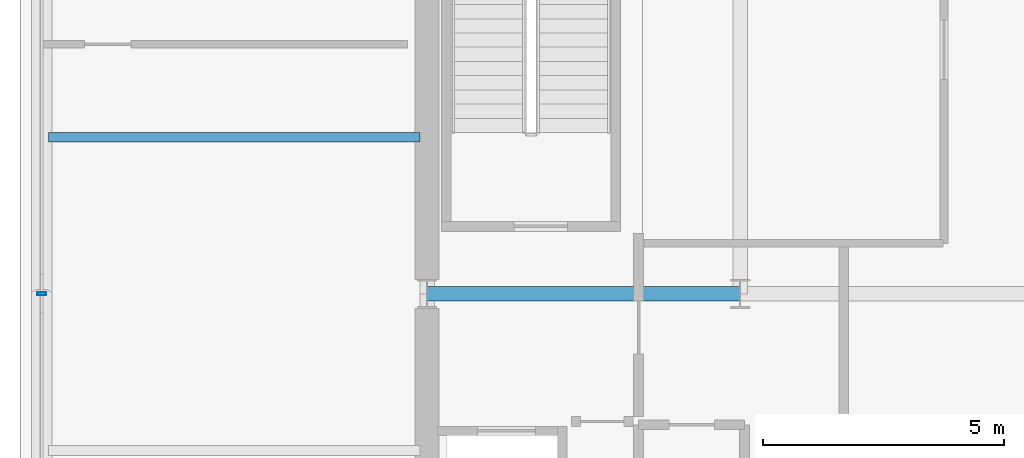
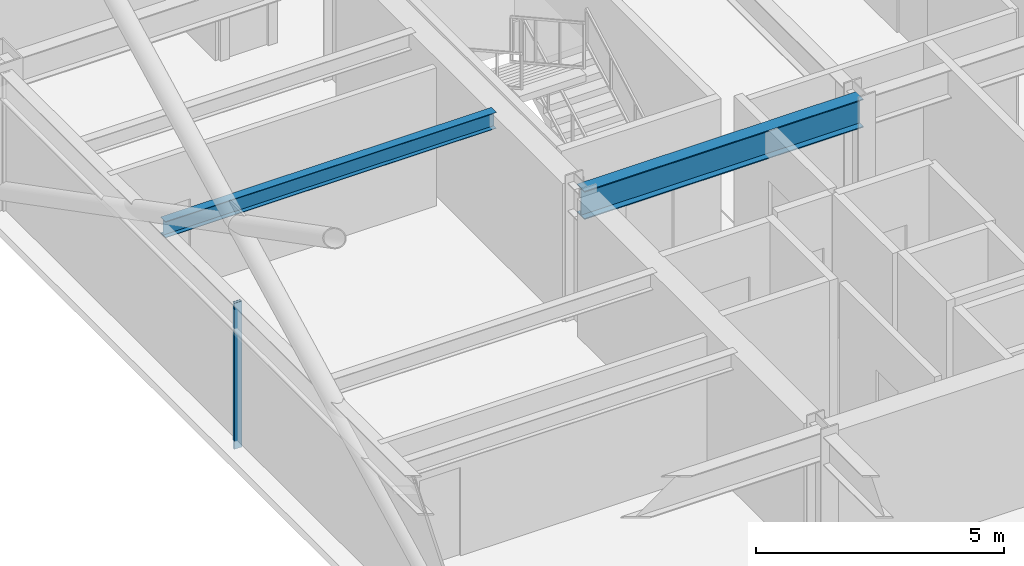
# One storey, part 9 of 33: 2 beams, 1 member, 1 element without a shape of its own.
"""IFC4 building model written with IfcOpenShell, lengths in metres."""

from ifc_helpers import new_model, si_unit, direction, frame, origin, origin_2d, place, context, subcontext, project, spatial, hollow_rectangle, i_section, extrude, material, layer, layer_set, material_profile, profile_set, type_object, element, aggregate, save


model = new_model("IFC4")

# Units and contexts
model_context = context("Model", 3, precision=1e-05, world=origin(), true_north=direction((0.0, 1.0)))
body_context = subcontext(model_context, "Body", "Model", "MODEL_VIEW")
ifc_project = project(units=[si_unit("LENGTHUNIT", "METRE"), si_unit("AREAUNIT", "SQUARE_METRE"), si_unit("VOLUMEUNIT", "CUBIC_METRE"), si_unit("PLANEANGLEUNIT", "RADIAN"), si_unit("MASSUNIT", "GRAM", prefix="KILO")], contexts=[model_context])

# Site, building, storey
site_placement = place(None, origin())
site = spatial("IfcSite", under=ifc_project, at=site_placement, CompositionType="ELEMENT")
building_placement = place(site_placement, origin())
building = spatial("IfcBuilding", under=site, at=building_placement, Name="Brelmoor Portico Tower", CompositionType="ELEMENT")
storey_placement = place(building_placement, frame((0.0, 0.0, 120.60009765625)))
storey = spatial("IfcBuildingStorey", under=building, at=storey_placement, Name="L31", CompositionType="ELEMENT", Elevation=120.60009765625)

# Beams
ifc_material_1 = material(Name="Steel Q355B", Category="steel")
ifc_material_profile_1 = material_profile(ifc_material_1, i_section(OverallWidth=0.199951171875, OverallDepth=0.39990234375, WebThickness=0.008056640625, FlangeThickness=0.012939453125, at=origin_2d()), Name="HN 400x200x8x13")
ifc_profile_set_1 = profile_set([ifc_material_profile_1], Name="Steel Q355B")
beam_type_1 = type_object("IfcBeamType", Name="BM-JS-400", PredefinedType="JOIST", material=ifc_profile_set_1)
beam_1_placement = place(storey_placement, frame((-22.409912109375, 3.25, 3.199951171875), z_axis=(1.0, 0.0, 0.0), x_axis=(0.0, 1.0, 0.0)))
element("IfcBeam", 1, at=beam_1_placement, inside=storey, type_object=beam_type_1, Name="L31 Secondary Wing Joist JS-W07", PredefinedType="JOIST", context=body_context, shape_type="SweptSolid", body=[
    extrude(i_section(OverallWidth=0.199951171875, OverallDepth=0.39990234375, WebThickness=0.008056640625, FlangeThickness=0.012939453125, at=origin_2d()), origin(), (0.0, 0.0, 1.0), 7.7099609375),
])
ifc_material_profile_2 = material_profile(ifc_material_1, i_section(OverallWidth=0.300048828125, OverallDepth=0.699951171875, WebThickness=0.012939453125, FlangeThickness=0.02392578125, at=origin_2d()), Name="HN 700x300x13x24")
ifc_profile_set_2 = profile_set([ifc_material_profile_2], Name="Steel Q355B")
beam_type_2 = type_object("IfcBeamType", Name="BM-PG-700", PredefinedType="BEAM", material=ifc_profile_set_2)
beam_2_placement = place(storey_placement, frame((-14.550048828125, 0.0, 3.0498046875), z_axis=(1.0, 0.0, 0.0), x_axis=(0.0, 1.0, 0.0)))
element("IfcBeam", 2, at=beam_2_placement, inside=storey, type_object=beam_type_2, Name="L31 Primary Floor Girder PG-19", PredefinedType="BEAM", context=body_context, shape_type="SweptSolid", body=[
    extrude(i_section(OverallWidth=0.300048828125, OverallDepth=0.699951171875, WebThickness=0.012939453125, FlangeThickness=0.02392578125, at=origin_2d()), origin(), (0.0, 0.0, 1.0), 6.5),
])

# Curtain wall, member
ifc_material_2 = material(Name="Anodised Aluminium Alloy 6063-T6", Category="aluminium")
ifc_layer = layer(ifc_material_2, 0.179931640625)
ifc_layer_set = layer_set([ifc_layer], Name="Anodised Aluminium Alloy 6063-T6")
curtain_wall_type = type_object("IfcCurtainWallType", Name="CW-TOWER-Z2-XB", PredefinedType="NOTDEFINED", material=ifc_layer_set)
curtain_wall_placement = place(storey_placement, origin())
curtain_wall = element("IfcCurtainWall", 3, at=curtain_wall_placement, inside=storey, type_object=curtain_wall_type, Name="L31 Curtain Wall CW-L31-03-2", PredefinedType="NOTDEFINED")
ifc_material_profile_3 = material_profile(ifc_material_2, hollow_rectangle(XDim=0.06494140625, YDim=0.179931640625, WallThickness=0.00390625, at=origin_2d()), Name="ALU MULLION 65x180")
ifc_profile_set_3 = profile_set([ifc_material_profile_3], Name="Anodised Aluminium Alloy 6063-T6")
member_type = type_object("IfcMemberType", Name="MB-CW-MULL-180", PredefinedType="MULLION", material=ifc_profile_set_3)
member_placement = place(storey_placement, frame((-22.550048828125, 0.0, -0.2001953125), z_axis=(0.0, 0.0, 1.0), x_axis=(0.0, 1.0, 0.0)))
member = element("IfcMember", 4, at=member_placement, type_object=member_type, Name="CW-L31-03-2 Mullion 01", PredefinedType="MULLION", context=body_context, shape_type="SweptSolid", body=[
    extrude(hollow_rectangle(XDim=0.06494140625, YDim=0.179931640625, WallThickness=0.00390625, at=origin_2d()), origin(), (0.0, 0.0, 1.0), 3.60009765625),
])
aggregate(curtain_wall, [member])

save(model, "model.ifc")
